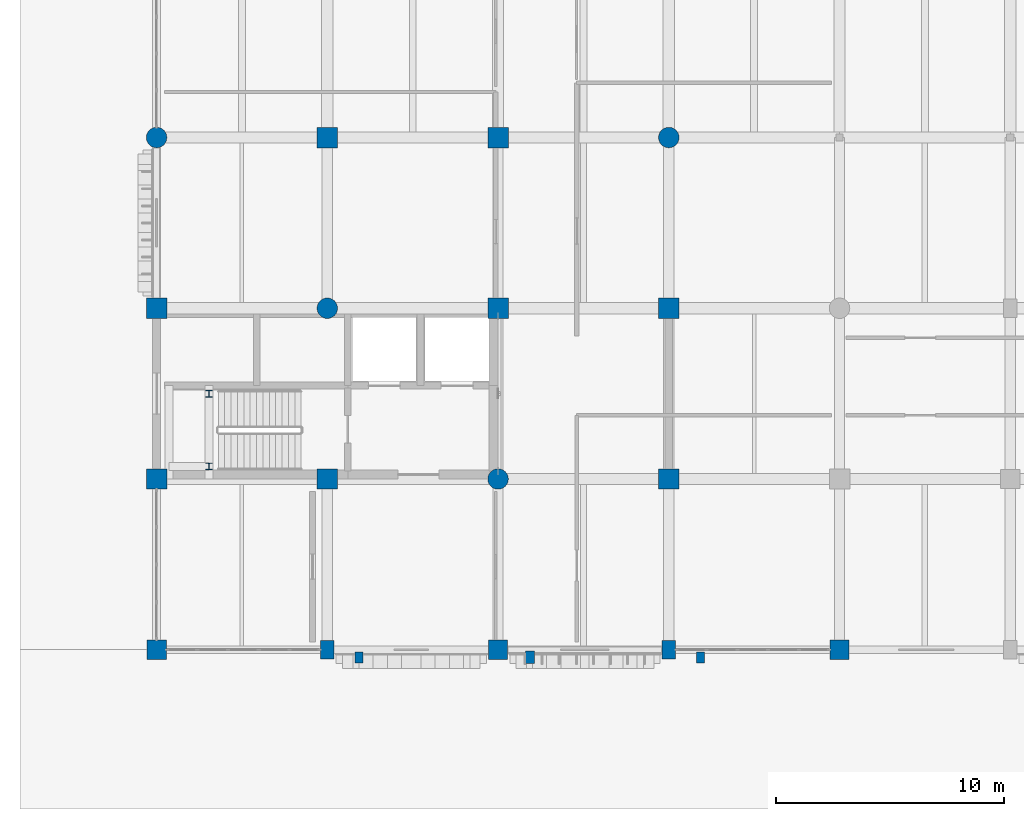
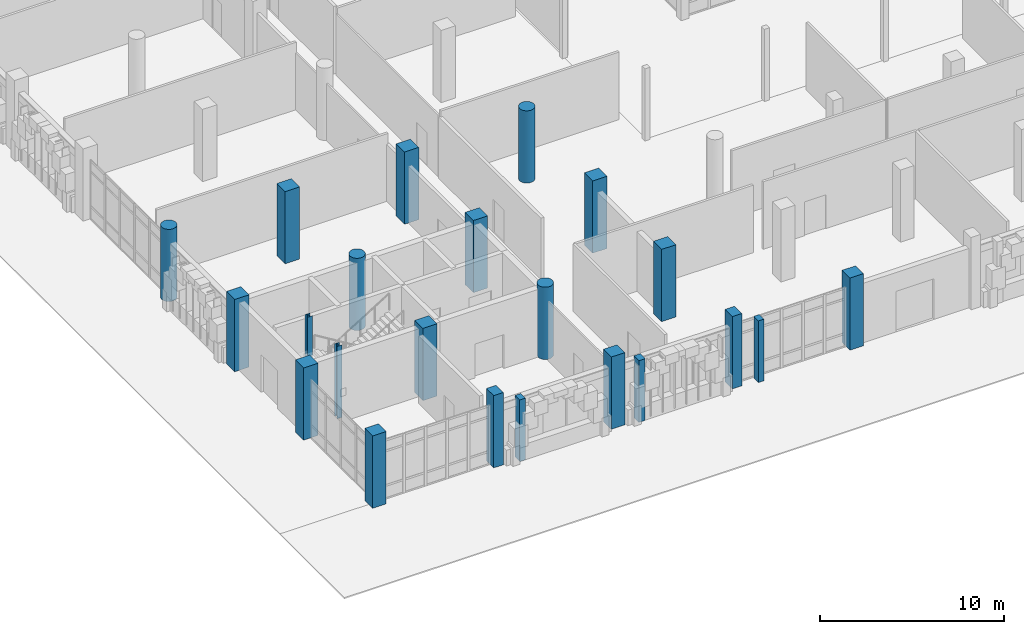
# One storey, part 1 of 125: 22 columns.
"""IFC4 building model written with IfcOpenShell, lengths in metres."""

from ifc_helpers import new_model, si_unit, direction, frame, origin, origin_2d, place, context, subcontext, project, spatial, rectangle, circle, i_section, extrude, material, material_profile, profile_set, type_object, element, save


model = new_model("IFC4")

# Units and contexts
model_context = context("Model", 3, precision=1e-05, world=origin(), true_north=direction((0.0, 1.0)))
body_context = subcontext(model_context, "Body", "Model", "MODEL_VIEW")
ifc_project = project(units=[si_unit("LENGTHUNIT", "METRE"), si_unit("AREAUNIT", "SQUARE_METRE"), si_unit("VOLUMEUNIT", "CUBIC_METRE"), si_unit("PLANEANGLEUNIT", "RADIAN"), si_unit("MASSUNIT", "GRAM", prefix="KILO")], contexts=[model_context])

# Site, building, storey
site_placement = place(None, origin())
site = spatial("IfcSite", under=ifc_project, at=site_placement, CompositionType="ELEMENT")
building_placement = place(site_placement, origin())
building = spatial("IfcBuilding", under=site, at=building_placement, Name="Dalvernix Boulevard General Hospital", CompositionType="ELEMENT")
storey_placement = place(building_placement, origin())
storey = spatial("IfcBuildingStorey", under=building, at=storey_placement, Name="L00", CompositionType="ELEMENT", Elevation=0.0)

# Columns
ifc_material_1 = material(Name="Concrete C40/50", Category="concrete")
ifc_material_profile_1 = material_profile(ifc_material_1, rectangle(XDim=0.89990234375, YDim=0.89990234375, at=origin_2d()), Name="RC 900x900")
ifc_profile_set_1 = profile_set([ifc_material_profile_1], Name="Concrete C40/50")
column_type_1 = type_object("IfcColumnType", Name="COL-C-01-E", PredefinedType="COLUMN", material=ifc_profile_set_1)
for number, where, z_axis, x_axis, name in (
    (1, (0.0, 7.5, 0.0), (0.0, 0.0, 1.0), (1.0, 0.0, 0.0), "L00 column 1B"),
    (2, (0.0, 15.0, 0.0), (0.0, 0.0, 1.0), (1.0, 0.0, 0.0), "L00 column 1C"),
):
    element("IfcColumn", number, at=place(storey_placement, frame(where, z_axis=z_axis, x_axis=x_axis)), inside=storey, type_object=column_type_1, Name=name, PredefinedType="COLUMN", context=body_context, shape_type="SweptSolid", body=[
        extrude(rectangle(XDim=0.89990234375, YDim=0.89990234375, at=origin_2d()), origin(), (0.0, 0.0, 1.0), 4.800048828125),
    ])
ifc_material_profile_2 = material_profile(ifc_material_1, rectangle(XDim=0.89990234375, YDim=0.89990234375, at=origin_2d()), Name="RC 900x900")
ifc_profile_set_2 = profile_set([ifc_material_profile_2], Name="Concrete C40/50")
column_type_2 = type_object("IfcColumnType", Name="COL-C-01-I", PredefinedType="COLUMN", material=ifc_profile_set_2)
for number, where, z_axis, x_axis, name in (
    (3, (7.5, 7.5, 0.0), (0.0, 0.0, 1.0), (1.0, 0.0, 0.0), "L00 column 2B"),
    (4, (7.5, 22.5, 0.0), (0.0, 0.0, 1.0), (1.0, 0.0, 0.0), "L00 column 2D"),
    (5, (15.0, 15.0, 0.0), (0.0, 0.0, 1.0), (1.0, 0.0, 0.0), "L00 column 3C"),
    (6, (15.0, 22.5, 0.0), (0.0, 0.0, 1.0), (1.0, 0.0, 0.0), "L00 column 3D"),
    (7, (22.5, 7.5, 0.0), (0.0, 0.0, 1.0), (1.0, 0.0, 0.0), "L00 column 4B"),
    (8, (22.5, 15.0, 0.0), (0.0, 0.0, 1.0), (1.0, 0.0, 0.0), "L00 column 4C"),
):
    element("IfcColumn", number, at=place(storey_placement, frame(where, z_axis=z_axis, x_axis=x_axis)), inside=storey, type_object=column_type_2, Name=name, PredefinedType="COLUMN", context=body_context, shape_type="SweptSolid", body=[
        extrude(rectangle(XDim=0.89990234375, YDim=0.89990234375, at=origin_2d()), origin(), (0.0, 0.0, 1.0), 4.800048828125),
    ])
ifc_material_profile_3 = material_profile(ifc_material_1, rectangle(XDim=0.85009765625, YDim=0.85009765625, at=origin_2d()), Name="RC 850x850")
ifc_profile_set_3 = profile_set([ifc_material_profile_3], Name="Concrete C40/50")
column_type_3 = type_object("IfcColumnType", Name="COL-C-02-E", PredefinedType="COLUMN", material=ifc_profile_set_3)
for number, where, z_axis, x_axis, name in (
    (9, (0.0, 0.0, 0.0), (0.0, 0.0, 1.0), (1.0, 0.0, 0.0), "L00 column 1A"),
    (10, (15.0, 0.0, 0.0), (0.0, 0.0, 1.0), (1.0, 0.0, 0.0), "L00 column 3A"),
    (11, (30.0, 0.0, 0.0), (0.0, 0.0, 1.0), (1.0, 0.0, 0.0), "L00 column 5A"),
):
    element("IfcColumn", number, at=place(storey_placement, frame(where, z_axis=z_axis, x_axis=x_axis)), inside=storey, type_object=column_type_3, Name=name, PredefinedType="COLUMN", context=body_context, shape_type="SweptSolid", body=[
        extrude(rectangle(XDim=0.85009765625, YDim=0.85009765625, at=origin_2d()), origin(), (0.0, 0.0, 1.0), 4.800048828125),
    ])
ifc_material_profile_4 = material_profile(ifc_material_1, rectangle(XDim=0.60009765625, YDim=0.800048828125, at=origin_2d()), Name="RC 600x800")
ifc_profile_set_4 = profile_set([ifc_material_profile_4], Name="Concrete C40/50")
column_type_4 = type_object("IfcColumnType", Name="COL-C-11-E", PredefinedType="COLUMN", material=ifc_profile_set_4)
for number, where, z_axis, x_axis, name in (
    (12, (7.5, 0.0, 0.0), (0.0, 0.0, 1.0), (1.0, 0.0, 0.0), "L00 column 2A"),
    (13, (22.5, 0.0, 0.0), (0.0, 0.0, 1.0), (1.0, 0.0, 0.0), "L00 column 4A"),
):
    element("IfcColumn", number, at=place(storey_placement, frame(where, z_axis=z_axis, x_axis=x_axis)), inside=storey, type_object=column_type_4, Name=name, PredefinedType="COLUMN", context=body_context, shape_type="SweptSolid", body=[
        extrude(rectangle(XDim=0.60009765625, YDim=0.800048828125, at=origin_2d()), origin(), (0.0, 0.0, 1.0), 4.800048828125),
    ])
ifc_material_profile_5 = material_profile(ifc_material_1, circle(Radius=0.449951171875, at=origin_2d()), Name="RC D900")
ifc_profile_set_5 = profile_set([ifc_material_profile_5], Name="Concrete C40/50")
column_type_5 = type_object("IfcColumnType", Name="COL-C-13-E", PredefinedType="COLUMN", material=ifc_profile_set_5)
column_1_placement = place(storey_placement, frame((0.0, 22.5, 0.0), z_axis=(0.0, 0.0, 1.0), x_axis=(1.0, 0.0, 0.0)))
element("IfcColumn", 14, at=column_1_placement, inside=storey, type_object=column_type_5, Name="L00 column 1D", PredefinedType="COLUMN", context=body_context, shape_type="SweptSolid", body=[
    extrude(circle(Radius=0.449951171875, at=origin_2d()), origin(), (0.0, 0.0, 1.0), 4.800048828125),
])
ifc_material_profile_6 = material_profile(ifc_material_1, circle(Radius=0.449951171875, at=origin_2d()), Name="RC D900")
ifc_profile_set_6 = profile_set([ifc_material_profile_6], Name="Concrete C40/50")
column_type_6 = type_object("IfcColumnType", Name="COL-C-13-I", PredefinedType="COLUMN", material=ifc_profile_set_6)
for number, where, z_axis, x_axis, name in (
    (15, (7.5, 15.0, 0.0), (0.0, 0.0, 1.0), (1.0, 0.0, 0.0), "L00 column 2C"),
    (16, (15.0, 7.5, 0.0), (0.0, 0.0, 1.0), (1.0, 0.0, 0.0), "L00 column 3B"),
    (17, (22.5, 22.5, 0.0), (0.0, 0.0, 1.0), (1.0, 0.0, 0.0), "L00 column 4D"),
):
    element("IfcColumn", number, at=place(storey_placement, frame(where, z_axis=z_axis, x_axis=x_axis)), inside=storey, type_object=column_type_6, Name=name, PredefinedType="COLUMN", context=body_context, shape_type="SweptSolid", body=[
        extrude(circle(Radius=0.449951171875, at=origin_2d()), origin(), (0.0, 0.0, 1.0), 4.800048828125),
    ])
ifc_material_2 = material(Name="Steel S355", Category="steel")
ifc_material_profile_7 = material_profile(ifc_material_2, i_section(OverallWidth=0.300048828125, OverallDepth=0.300048828125, WebThickness=0.010986328125, FlangeThickness=0.01904296875, FilletRadius=0.027099609375, at=origin_2d()), Name="HEB 300")
ifc_profile_set_7 = profile_set([ifc_material_profile_7], Name="Steel S355")
column_type_7 = type_object("IfcColumnType", Name="COL-C-18", PredefinedType="COLUMN", material=ifc_profile_set_7)
for number, where, z_axis, x_axis, name in (
    (18, (2.300048828125, 8.050048828125, 0.0), (0.0, 0.0, 1.0), (1.0, 0.0, 0.0), "L00 Core C1 stair landing column 1"),
    (19, (2.300048828125, 11.25, 0.0), (0.0, 0.0, 1.0), (1.0, 0.0, 0.0), "L00 Core C1 stair landing column 2"),
):
    element("IfcColumn", number, at=place(storey_placement, frame(where, z_axis=z_axis, x_axis=x_axis)), inside=storey, type_object=column_type_7, Name=name, PredefinedType="COLUMN", context=body_context, shape_type="SweptSolid", body=[
        extrude(i_section(OverallWidth=0.300048828125, OverallDepth=0.300048828125, WebThickness=0.010986328125, FlangeThickness=0.01904296875, FilletRadius=0.027099609375, at=origin_2d()), origin(), (0.0, 0.0, 1.0), 4.800048828125),
    ])
ifc_material_profile_8 = material_profile(ifc_material_1, rectangle(XDim=0.35009765625, YDim=0.5, at=origin_2d()), Name="RC 350x500")
ifc_profile_set_8 = profile_set([ifc_material_profile_8], Name="Concrete C40/50")
column_type_8 = type_object("IfcColumnType", Name="COL-CP-01", PredefinedType="PILASTER", material=ifc_profile_set_8)
for number, where, z_axis, x_axis, name in (
    (20, (8.89990234375, -0.340087890625, 0.0), (0.0, 0.0, 1.0), (1.0, 0.0, 0.0), "L00 boulevard facade pilaster 1"),
    (21, (23.89990234375, -0.340087890625, 0.0), (0.0, 0.0, 1.0), (1.0, 0.0, 0.0), "L00 boulevard facade pilaster 3"),
):
    element("IfcColumn", number, at=place(storey_placement, frame(where, z_axis=z_axis, x_axis=x_axis)), inside=storey, type_object=column_type_8, Name=name, PredefinedType="PILASTER", context=body_context, shape_type="SweptSolid", body=[
        extrude(rectangle(XDim=0.35009765625, YDim=0.5, at=origin_2d()), origin(), (0.0, 0.0, 1.0), 4.10009765625),
    ])
ifc_material_profile_9 = material_profile(ifc_material_1, rectangle(XDim=0.39990234375, YDim=0.550048828125, at=origin_2d()), Name="RC 400x550")
ifc_profile_set_9 = profile_set([ifc_material_profile_9], Name="Concrete C40/50")
column_type_9 = type_object("IfcColumnType", Name="COL-CP-02", PredefinedType="PILASTER", material=ifc_profile_set_9)
column_2_placement = place(storey_placement, frame((16.39990234375, -0.340087890625, 0.0), z_axis=(0.0, 0.0, 1.0), x_axis=(1.0, 0.0, 0.0)))
element("IfcColumn", 22, at=column_2_placement, inside=storey, type_object=column_type_9, Name="L00 boulevard facade pilaster 2", PredefinedType="PILASTER", context=body_context, shape_type="SweptSolid", body=[
    extrude(rectangle(XDim=0.39990234375, YDim=0.550048828125, at=origin_2d()), origin(), (0.0, 0.0, 1.0), 4.10009765625),
])

save(model, "model.ifc")
